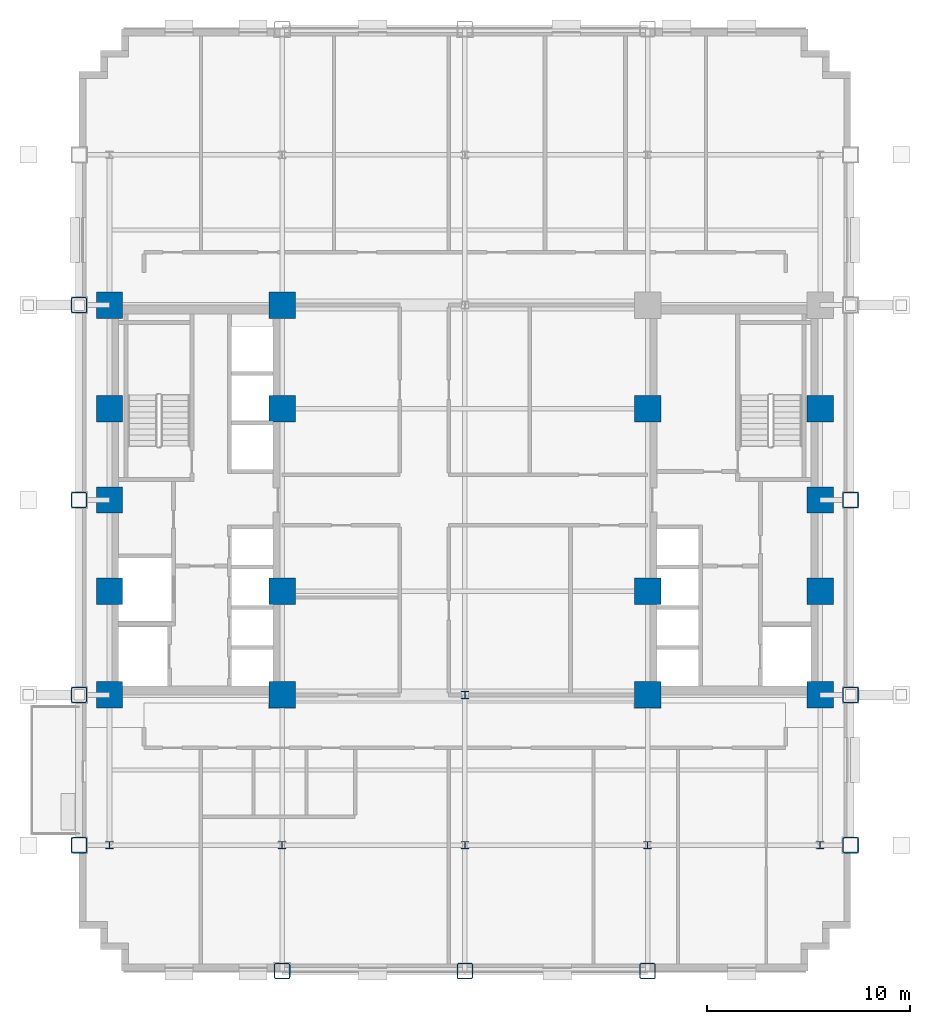
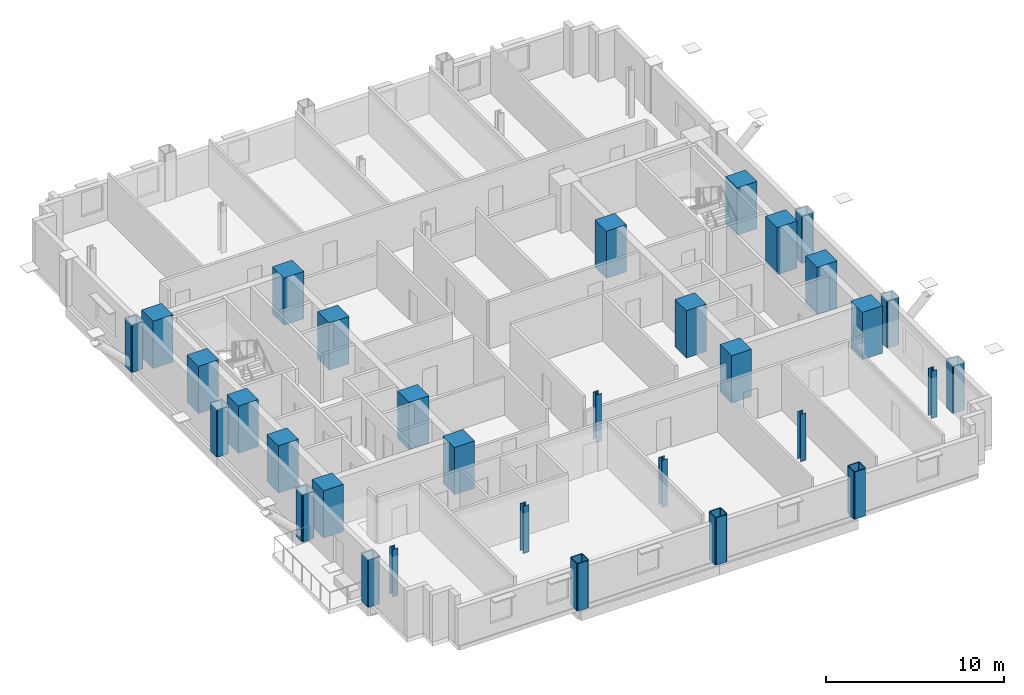
# One storey, part 1 of 12: 32 columns.
"""IFC4 building model written with IfcOpenShell, lengths in metres."""

from ifc_helpers import new_model, si_unit, direction, frame, origin, origin_2d, place, context, subcontext, project, spatial, rectangle, hollow_rectangle, i_section, extrude, material, material_profile, profile_set, type_object, element, save


model = new_model("IFC4")

# Units and contexts
model_context = context("Model", 3, precision=1e-05, world=origin(), true_north=direction((0.0, 1.0)))
body_context = subcontext(model_context, "Body", "Model", "MODEL_VIEW")
ifc_project = project(units=[si_unit("LENGTHUNIT", "METRE"), si_unit("AREAUNIT", "SQUARE_METRE"), si_unit("VOLUMEUNIT", "CUBIC_METRE"), si_unit("PLANEANGLEUNIT", "RADIAN"), si_unit("MASSUNIT", "GRAM", prefix="KILO")], contexts=[model_context])

# Site, building, storey
site_placement = place(None, origin())
site = spatial("IfcSite", under=ifc_project, at=site_placement, CompositionType="ELEMENT")
building_placement = place(site_placement, origin())
building = spatial("IfcBuilding", under=site, at=building_placement, Name="Nuvemarco Arch Tower", CompositionType="ELEMENT")
storey_placement = place(building_placement, frame((0.0, 0.0, 53.14990234375)))
storey = spatial("IfcBuildingStorey", under=building, at=storey_placement, Name="L13", CompositionType="ELEMENT", Elevation=53.14990234375)

# Columns
ifc_material_1 = material(Name="Concrete C60/75", Category="concrete")
ifc_material_profile_1 = material_profile(ifc_material_1, rectangle(XDim=1.300048828125, YDim=1.300048828125, at=origin_2d()), Name="RC-COL-1300x1300")
ifc_profile_set_1 = profile_set([ifc_material_profile_1], Name="Concrete C60/75")
column_type_1 = type_object("IfcColumnType", Name="COL-CORE-1300", PredefinedType="COLUMN", material=ifc_profile_set_1)
for number, where, z_axis, x_axis, name in (
    (1, (-17.5, -9.60009765625, 0.0), (0.0, 0.0, 1.0), (1.0, 0.0, 0.0), "L13 column CC_-17.5_-9.6"),
    (2, (-17.5, -4.5, 0.0), (0.0, 0.0, 1.0), (1.0, 0.0, 0.0), "L13 column CC_-17.5_-4.5"),
    (3, (-17.5, 4.5, 0.0), (0.0, 0.0, 1.0), (1.0, 0.0, 0.0), "L13 column CC_-17.5_+4.5"),
    (4, (-17.5, 9.60009765625, 0.0), (0.0, 0.0, 1.0), (1.0, 0.0, 0.0), "L13 column CC_-17.5_+9.6"),
    (5, (-9.0, -9.60009765625, 0.0), (0.0, 0.0, 1.0), (1.0, 0.0, 0.0), "L13 column CC_-9.0_-9.6"),
    (6, (-9.0, -4.5, 0.0), (0.0, 0.0, 1.0), (1.0, 0.0, 0.0), "L13 column CC_-9.0_-4.5"),
    (7, (-9.0, 4.5, 0.0), (0.0, 0.0, 1.0), (1.0, 0.0, 0.0), "L13 column CC_-9.0_+4.5"),
    (8, (-9.0, 9.60009765625, 0.0), (0.0, 0.0, 1.0), (1.0, 0.0, 0.0), "L13 column CC_-9.0_+9.6"),
    (9, (9.0, -9.60009765625, 0.0), (0.0, 0.0, 1.0), (1.0, 0.0, 0.0), "L13 column CC_+9.0_-9.6"),
    (10, (9.0, -4.5, 0.0), (0.0, 0.0, 1.0), (1.0, 0.0, 0.0), "L13 column CC_+9.0_-4.5"),
    (11, (9.0, 4.5, 0.0), (0.0, 0.0, 1.0), (1.0, 0.0, 0.0), "L13 column CC_+9.0_+4.5"),
    (12, (17.5, -9.60009765625, 0.0), (0.0, 0.0, 1.0), (1.0, 0.0, 0.0), "L13 column CC_+17.5_-9.6"),
    (13, (17.5, -4.5, 0.0), (0.0, 0.0, 1.0), (1.0, 0.0, 0.0), "L13 column CC_+17.5_-4.5"),
    (14, (17.5, 4.5, 0.0), (0.0, 0.0, 1.0), (1.0, 0.0, 0.0), "L13 column CC_+17.5_+4.5"),
    (15, (-17.5, 0.0, 0.0), (0.0, 0.0, 1.0), (1.0, 0.0, 0.0), "L13 column CC_-17.5_+0.0"),
    (16, (17.5, 0.0, 0.0), (0.0, 0.0, 1.0), (1.0, 0.0, 0.0), "L13 column CC_+17.5_+0.0"),
):
    element("IfcColumn", number, at=place(storey_placement, frame(where, z_axis=z_axis, x_axis=x_axis)), inside=storey, type_object=column_type_1, Name=name, PredefinedType="COLUMN", context=body_context, shape_type="SweptSolid", body=[
        extrude(rectangle(XDim=1.300048828125, YDim=1.300048828125, at=origin_2d()), origin(), (0.0, 0.0, 1.0), 3.25),
    ])
ifc_material_2 = material(Name="Steel S460", Category="steel")
ifc_material_profile_2 = material_profile(ifc_material_2, hollow_rectangle(XDim=0.800048828125, YDim=0.800048828125, WallThickness=0.054931640625, InnerFilletRadius=0.054931640625, OuterFilletRadius=0.110107421875, at=origin_2d()), Name="SHS800x800x55")
ifc_profile_set_2 = profile_set([ifc_material_profile_2], Name="Steel S460")
column_type_2 = type_object("IfcColumnType", Name="COL-EXO-800", PredefinedType="COLUMN", material=ifc_profile_set_2)
for number, where, z_axis, x_axis, name in (
    (17, (-19.0, -17.0, 0.0), (0.0, 0.0, 1.0), (1.0, 0.0, 0.0), "L13 column CX_-19.0_-17.0"),
    (18, (-19.0, -9.60009765625, 0.0), (0.0, 0.0, 1.0), (1.0, 0.0, 0.0), "L13 column CX_-19.0_-9.6"),
    (19, (-19.0, 0.0, 0.0), (0.0, 0.0, 1.0), (1.0, 0.0, 0.0), "L13 column CX_-19.0_+0.0"),
    (20, (-19.0, 9.60009765625, 0.0), (0.0, 0.0, 1.0), (1.0, 0.0, 0.0), "L13 column CX_-19.0_+9.6"),
    (21, (19.0, -17.0, 0.0), (0.0, 0.0, 1.0), (1.0, 0.0, 0.0), "L13 column CX_+19.0_-17.0"),
    (22, (19.0, -9.60009765625, 0.0), (0.0, 0.0, 1.0), (1.0, 0.0, 0.0), "L13 column CX_+19.0_-9.6"),
    (23, (19.0, 0.0, 0.0), (0.0, 0.0, 1.0), (1.0, 0.0, 0.0), "L13 column CX_+19.0_+0.0"),
    (24, (-9.0, -23.199951171875, 0.0), (0.0, 0.0, 1.0), (1.0, 0.0, 0.0), "L13 column CY_-9.0_-23.2"),
    (25, (0.0, -23.199951171875, 0.0), (0.0, 0.0, 1.0), (1.0, 0.0, 0.0), "L13 column CY_+0.0_-23.2"),
    (26, (9.0, -23.199951171875, 0.0), (0.0, 0.0, 1.0), (1.0, 0.0, 0.0), "L13 column CY_+9.0_-23.2"),
):
    element("IfcColumn", number, at=place(storey_placement, frame(where, z_axis=z_axis, x_axis=x_axis)), inside=storey, type_object=column_type_2, Name=name, PredefinedType="COLUMN", context=body_context, shape_type="SweptSolid", body=[
        extrude(hollow_rectangle(XDim=0.800048828125, YDim=0.800048828125, WallThickness=0.054931640625, InnerFilletRadius=0.054931640625, OuterFilletRadius=0.110107421875, at=origin_2d()), origin(), (0.0, 0.0, 1.0), 3.25),
    ])
ifc_material_3 = material(Name="Steel S355", Category="steel")
ifc_material_profile_3 = material_profile(ifc_material_3, i_section(OverallWidth=0.360107421875, OverallDepth=0.360107421875, WebThickness=0.0205078125, FlangeThickness=0.0205078125, FilletRadius=0.01806640625, at=origin_2d()), Name="HP360x174")
ifc_profile_set_3 = profile_set([ifc_material_profile_3], Name="Steel S355")
column_type_3 = type_object("IfcColumnType", Name="COL-STL-HP360", PredefinedType="COLUMN", material=ifc_profile_set_3)
for number, where, z_axis, x_axis, name in (
    (27, (0.0, -17.0, 0.0), (0.0, 0.0, 1.0), (1.0, 0.0, 0.0), "L13 column CI_+0.0_-17.0"),
    (28, (0.0, -9.60009765625, 0.0), (0.0, 0.0, 1.0), (1.0, 0.0, 0.0), "L13 column CI_+0.0_-9.6"),
    (29, (-17.5, -17.0, 0.0), (0.0, 0.0, 1.0), (1.0, 0.0, 0.0), "L13 column CI_-17.5_-17.0"),
    (30, (-9.0, -17.0, 0.0), (0.0, 0.0, 1.0), (1.0, 0.0, 0.0), "L13 column CI_-9.0_-17.0"),
    (31, (9.0, -17.0, 0.0), (0.0, 0.0, 1.0), (1.0, 0.0, 0.0), "L13 column CI_+9.0_-17.0"),
    (32, (17.5, -17.0, 0.0), (0.0, 0.0, 1.0), (1.0, 0.0, 0.0), "L13 column CI_+17.5_-17.0"),
):
    element("IfcColumn", number, at=place(storey_placement, frame(where, z_axis=z_axis, x_axis=x_axis)), inside=storey, type_object=column_type_3, Name=name, PredefinedType="COLUMN", context=body_context, shape_type="SweptSolid", body=[
        extrude(i_section(OverallWidth=0.360107421875, OverallDepth=0.360107421875, WebThickness=0.0205078125, FlangeThickness=0.0205078125, FilletRadius=0.01806640625, at=origin_2d()), origin(), (0.0, 0.0, 1.0), 3.25),
    ])

save(model, "model.ifc")
